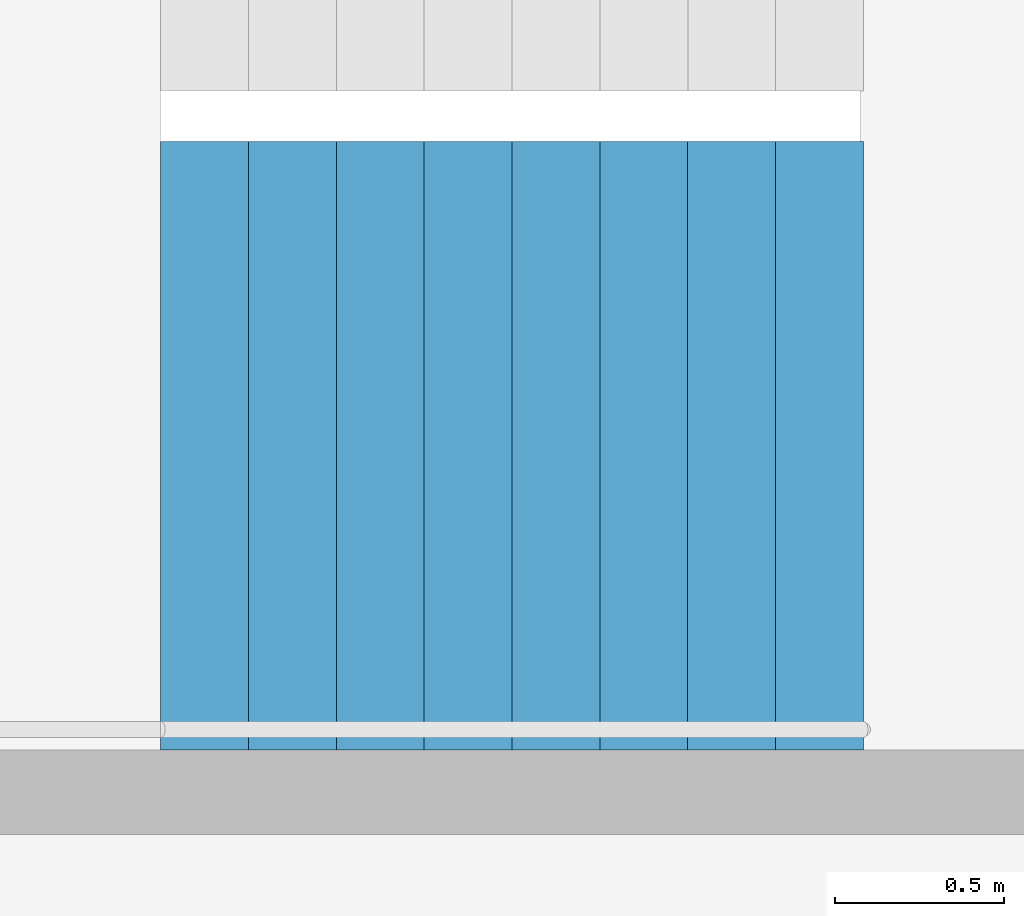
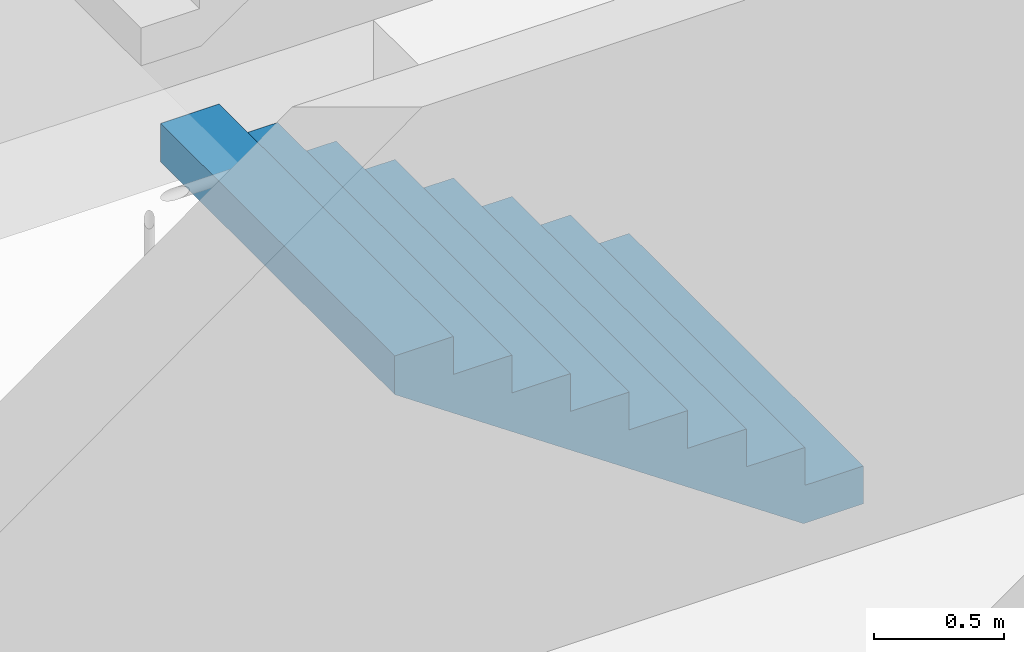
# One storey, part 25 of 27: 1 stair flight, 1 element without a shape of its own.
"""IFC4 building model written with IfcOpenShell, lengths in metres."""

from ifc_helpers import new_model, si_unit, direction, frame, origin, place, context, subcontext, project, spatial, triangles, material, type_object, element, aggregate, save


model = new_model("IFC4")

# Units and contexts
model_context = context("Model", 3, precision=1e-05, world=origin(), true_north=direction((0.0, 1.0)))
body_context = subcontext(model_context, "Body", "Model", "MODEL_VIEW")
ifc_project = project(units=[si_unit("LENGTHUNIT", "METRE"), si_unit("AREAUNIT", "SQUARE_METRE"), si_unit("VOLUMEUNIT", "CUBIC_METRE"), si_unit("PLANEANGLEUNIT", "RADIAN"), si_unit("MASSUNIT", "GRAM", prefix="KILO")], contexts=[model_context])

# Site, building, storey
site_placement = place(None, origin())
site = spatial("IfcSite", under=ifc_project, at=site_placement, CompositionType="ELEMENT")
building_placement = place(site_placement, origin())
building = spatial("IfcBuilding", under=site, at=building_placement, Name="Hakoniwa Tower and Hamabe Station Hall", CompositionType="ELEMENT")
storey_placement = place(building_placement, frame((0.0, 0.0, 242.199951171875)))
storey = spatial("IfcBuildingStorey", under=building, at=storey_placement, Name="L68", CompositionType="ELEMENT", Elevation=242.199951171875)

# Stair, stair flight
ifc_material_1 = material(Name="Concrete C40", Category="concrete")
stair_type = type_object("IfcStairType", Name="ESCAPE STAIR 1800", PredefinedType="HALF_TURN_STAIR", material=ifc_material_1)
stair_placement = place(storey_placement, origin())
stair = element("IfcStair", 1, at=stair_placement, inside=storey, type_object=stair_type, Name="Escape stair ST-3 L68", PredefinedType="HALF_TURN_STAIR")
ifc_material_2 = material(Name="Concrete C40", Category="concrete")
stair_flight_type = type_object("IfcStairFlightType", Name="STAIR FLIGHT 1800", PredefinedType="STRAIGHT", material=ifc_material_2)
stair_flight_placement = place(storey_placement, frame((24.39990234375, 4.64990234375, 0.0), z_axis=(0.0, 0.0, 1.0), x_axis=(-1.0, 0.0, 0.0)))
stair_flight = element("IfcStairFlight", 2, at=stair_flight_placement, type_object=stair_flight_type, Name="ST-3 flight 1", NumberOfRisers=9, NumberOfTreads=8, PredefinedType="STRAIGHT", RiserHeight=0.177777778, TreadLength=0.26, context=body_context, shape_type="Tessellation", body=[
    triangles([(0.0, 0.89990234375, 0.0), (0.260009765625, 0.89990234375, 0.0), (0.265625, 0.89990234375, 0.0), (0.52001953125, 0.89990234375, 0.174072265625), (0.780029296875, 0.89990234375, 0.351806640625), (1.0400390625, 0.89990234375, 0.529541015625), (1.300048828125, 0.89990234375, 0.707275390625), (1.56005859375, 0.89990234375, 0.885009765625), (1.820068359375, 0.89990234375, 1.062744140625), (2.080078125, 0.89990234375, 1.24072265625), (2.080078125, 0.89990234375, 1.422119140625), (1.820068359375, 0.89990234375, 1.422119140625), (1.820068359375, 0.89990234375, 1.244384765625), (1.56005859375, 0.89990234375, 1.244384765625), (1.56005859375, 0.89990234375, 1.066650390625), (1.300048828125, 0.89990234375, 1.066650390625), (1.300048828125, 0.89990234375, 0.888916015625), (1.0400390625, 0.89990234375, 0.888916015625), (1.0400390625, 0.89990234375, 0.711181640625), (0.780029296875, 0.89990234375, 0.711181640625), (0.780029296875, 0.89990234375, 0.533447265625), (0.52001953125, 0.89990234375, 0.533447265625), (0.52001953125, 0.89990234375, 0.35546875), (0.265625, 0.89990234375, 0.35546875), (0.260009765625, 0.89990234375, 0.35546875), (0.260009765625, 0.89990234375, 0.177734375), (0.0, 0.89990234375, 0.177734375), (0.0, 0.06005859375, 0.0), (0.260009765625, 0.06005859375, 0.0), (0.265625, 0.06005859375, 0.0), (0.52001953125, 0.06005859375, 0.174072265625), (0.780029296875, 0.06005859375, 0.351806640625), (1.0400390625, 0.06005859375, 0.529541015625), (1.300048828125, 0.06005859375, 0.707275390625), (1.56005859375, 0.06005859375, 0.885009765625), (1.820068359375, 0.06005859375, 1.062744140625), (2.080078125, 0.06005859375, 1.24072265625), (2.080078125, 0.06005859375, 1.422119140625), (1.820068359375, 0.06005859375, 1.422119140625), (1.820068359375, 0.06005859375, 1.244384765625), (1.56005859375, 0.06005859375, 1.244384765625), (1.56005859375, 0.06005859375, 1.066650390625), (1.300048828125, 0.06005859375, 1.066650390625), (1.300048828125, 0.06005859375, 0.888916015625), (1.0400390625, 0.06005859375, 0.888916015625), (1.0400390625, 0.06005859375, 0.711181640625), (0.780029296875, 0.06005859375, 0.711181640625), (0.780029296875, 0.06005859375, 0.533447265625), (0.52001953125, 0.06005859375, 0.533447265625), (0.52001953125, 0.06005859375, 0.35546875), (0.265625, 0.06005859375, 0.35546875), (0.260009765625, 0.06005859375, 0.35546875), (0.260009765625, 0.06005859375, 0.177734375), (0.0, 0.06005859375, 0.177734375), (0.0, 0.04296875, 0.0), (0.260009765625, 0.04296875, 0.0), (0.265625, 0.04296875, 0.0), (0.52001953125, 0.04296875, 0.174072265625), (0.780029296875, 0.04296875, 0.351806640625), (1.0400390625, 0.04296875, 0.529541015625), (1.300048828125, 0.04296875, 0.707275390625), (1.56005859375, 0.04296875, 0.885009765625), (1.820068359375, 0.04296875, 1.062744140625), (2.080078125, 0.04296875, 1.24072265625), (2.080078125, 0.04296875, 1.422119140625), (1.820068359375, 0.04296875, 1.422119140625), (1.820068359375, 0.04296875, 1.244384765625), (1.56005859375, 0.04296875, 1.244384765625), (1.56005859375, 0.04296875, 1.066650390625), (1.300048828125, 0.04296875, 1.066650390625), (1.300048828125, 0.04296875, 0.888916015625), (1.0400390625, 0.04296875, 0.888916015625), (1.0400390625, 0.04296875, 0.711181640625), (0.780029296875, 0.04296875, 0.711181640625), (0.780029296875, 0.04296875, 0.533447265625), (0.52001953125, 0.04296875, 0.533447265625), (0.52001953125, 0.04296875, 0.35546875), (0.265625, 0.04296875, 0.35546875), (0.260009765625, 0.04296875, 0.35546875), (0.260009765625, 0.04296875, 0.177734375), (0.0, 0.04296875, 0.177734375), (0.0, 0.025634765625, 0.0), (0.260009765625, 0.025634765625, 0.0), (0.265625, 0.025634765625, 0.0), (0.52001953125, 0.025634765625, 0.174072265625), (0.780029296875, 0.025634765625, 0.351806640625), (1.0400390625, 0.025634765625, 0.529541015625), (1.300048828125, 0.025634765625, 0.707275390625), (1.56005859375, 0.025634765625, 0.885009765625), (1.820068359375, 0.025634765625, 1.062744140625), (2.080078125, 0.025634765625, 1.24072265625), (2.080078125, 0.025634765625, 1.422119140625), (1.820068359375, 0.025634765625, 1.422119140625), (1.820068359375, 0.025634765625, 1.244384765625), (1.56005859375, 0.025634765625, 1.244384765625), (1.56005859375, 0.025634765625, 1.066650390625), (1.300048828125, 0.025634765625, 1.066650390625), (1.300048828125, 0.025634765625, 0.888916015625), (1.0400390625, 0.025634765625, 0.888916015625), (1.0400390625, 0.025634765625, 0.711181640625), (0.780029296875, 0.025634765625, 0.711181640625), (0.780029296875, 0.025634765625, 0.533447265625), (0.52001953125, 0.025634765625, 0.533447265625), (0.52001953125, 0.025634765625, 0.35546875), (0.265625, 0.025634765625, 0.35546875), (0.260009765625, 0.025634765625, 0.35546875), (0.260009765625, 0.025634765625, 0.177734375), (0.0, 0.025634765625, 0.177734375), (0.0, 0.008544921875, 0.0), (0.260009765625, 0.008544921875, 0.0), (0.265625, 0.008544921875, 0.0), (0.52001953125, 0.008544921875, 0.174072265625), (0.780029296875, 0.008544921875, 0.351806640625), (1.0400390625, 0.008544921875, 0.529541015625), (1.300048828125, 0.008544921875, 0.707275390625), (1.56005859375, 0.008544921875, 0.885009765625), (1.820068359375, 0.008544921875, 1.062744140625), (2.080078125, 0.008544921875, 1.24072265625), (2.080078125, 0.008544921875, 1.422119140625), (1.820068359375, 0.008544921875, 1.422119140625), (1.820068359375, 0.008544921875, 1.244384765625), (1.56005859375, 0.008544921875, 1.244384765625), (1.56005859375, 0.008544921875, 1.066650390625), (1.300048828125, 0.008544921875, 1.066650390625), (1.300048828125, 0.008544921875, 0.888916015625), (1.0400390625, 0.008544921875, 0.888916015625), (1.0400390625, 0.008544921875, 0.711181640625), (0.780029296875, 0.008544921875, 0.711181640625), (0.780029296875, 0.008544921875, 0.533447265625), (0.52001953125, 0.008544921875, 0.533447265625), (0.52001953125, 0.008544921875, 0.35546875), (0.265625, 0.008544921875, 0.35546875), (0.260009765625, 0.008544921875, 0.35546875), (0.260009765625, 0.008544921875, 0.177734375), (0.0, 0.008544921875, 0.177734375), (0.0, -0.008544921875, 0.0), (0.260009765625, -0.008544921875, 0.0), (0.265625, -0.008544921875, 0.0), (0.52001953125, -0.008544921875, 0.174072265625), (0.780029296875, -0.008544921875, 0.351806640625), (1.0400390625, -0.008544921875, 0.529541015625), (1.300048828125, -0.008544921875, 0.707275390625), (1.56005859375, -0.008544921875, 0.885009765625), (1.820068359375, -0.008544921875, 1.062744140625), (2.080078125, -0.008544921875, 1.24072265625), (2.080078125, -0.008544921875, 1.422119140625), (1.820068359375, -0.008544921875, 1.422119140625), (1.820068359375, -0.008544921875, 1.244384765625), (1.56005859375, -0.008544921875, 1.244384765625), (1.56005859375, -0.008544921875, 1.066650390625), (1.300048828125, -0.008544921875, 1.066650390625), (1.300048828125, -0.008544921875, 0.888916015625), (1.0400390625, -0.008544921875, 0.888916015625), (1.0400390625, -0.008544921875, 0.711181640625), (0.780029296875, -0.008544921875, 0.711181640625), (0.780029296875, -0.008544921875, 0.533447265625), (0.52001953125, -0.008544921875, 0.533447265625), (0.52001953125, -0.008544921875, 0.35546875), (0.265625, -0.008544921875, 0.35546875), (0.260009765625, -0.008544921875, 0.35546875), (0.260009765625, -0.008544921875, 0.177734375), (0.0, -0.008544921875, 0.177734375), (0.0, -0.025634765625, 0.0), (0.260009765625, -0.025634765625, 0.0), (0.265625, -0.025634765625, 0.0), (0.52001953125, -0.025634765625, 0.174072265625), (0.780029296875, -0.025634765625, 0.351806640625), (1.0400390625, -0.025634765625, 0.529541015625), (1.300048828125, -0.025634765625, 0.707275390625), (1.56005859375, -0.025634765625, 0.885009765625), (1.820068359375, -0.025634765625, 1.062744140625), (2.080078125, -0.025634765625, 1.24072265625), (2.080078125, -0.025634765625, 1.422119140625), (1.820068359375, -0.025634765625, 1.422119140625), (1.820068359375, -0.025634765625, 1.244384765625), (1.56005859375, -0.025634765625, 1.244384765625), (1.56005859375, -0.025634765625, 1.066650390625), (1.300048828125, -0.025634765625, 1.066650390625), (1.300048828125, -0.025634765625, 0.888916015625), (1.0400390625, -0.025634765625, 0.888916015625), (1.0400390625, -0.025634765625, 0.711181640625), (0.780029296875, -0.025634765625, 0.711181640625), (0.780029296875, -0.025634765625, 0.533447265625), (0.52001953125, -0.025634765625, 0.533447265625), (0.52001953125, -0.025634765625, 0.35546875), (0.265625, -0.025634765625, 0.35546875), (0.260009765625, -0.025634765625, 0.35546875), (0.260009765625, -0.025634765625, 0.177734375), (0.0, -0.025634765625, 0.177734375), (0.0, -0.04296875, 0.0), (0.260009765625, -0.04296875, 0.0), (0.265625, -0.04296875, 0.0), (0.52001953125, -0.04296875, 0.174072265625), (0.780029296875, -0.04296875, 0.351806640625), (1.0400390625, -0.04296875, 0.529541015625), (1.300048828125, -0.04296875, 0.707275390625), (1.56005859375, -0.04296875, 0.885009765625), (1.820068359375, -0.04296875, 1.062744140625), (2.080078125, -0.04296875, 1.24072265625), (2.080078125, -0.04296875, 1.422119140625), (1.820068359375, -0.04296875, 1.422119140625), (1.820068359375, -0.04296875, 1.244384765625), (1.56005859375, -0.04296875, 1.244384765625), (1.56005859375, -0.04296875, 1.066650390625), (1.300048828125, -0.04296875, 1.066650390625), (1.300048828125, -0.04296875, 0.888916015625), (1.0400390625, -0.04296875, 0.888916015625), (1.0400390625, -0.04296875, 0.711181640625), (0.780029296875, -0.04296875, 0.711181640625), (0.780029296875, -0.04296875, 0.533447265625), (0.52001953125, -0.04296875, 0.533447265625), (0.52001953125, -0.04296875, 0.35546875), (0.265625, -0.04296875, 0.35546875), (0.260009765625, -0.04296875, 0.35546875), (0.260009765625, -0.04296875, 0.177734375), (0.0, -0.04296875, 0.177734375), (0.0, -0.06005859375, 0.0), (0.260009765625, -0.06005859375, 0.0), (0.265625, -0.06005859375, 0.0), (0.52001953125, -0.06005859375, 0.174072265625), (0.780029296875, -0.06005859375, 0.351806640625), (1.0400390625, -0.06005859375, 0.529541015625), (1.300048828125, -0.06005859375, 0.707275390625), (1.56005859375, -0.06005859375, 0.885009765625), (1.820068359375, -0.06005859375, 1.062744140625), (2.080078125, -0.06005859375, 1.24072265625), (2.080078125, -0.06005859375, 1.422119140625), (1.820068359375, -0.06005859375, 1.422119140625), (1.820068359375, -0.06005859375, 1.244384765625), (1.56005859375, -0.06005859375, 1.244384765625), (1.56005859375, -0.06005859375, 1.066650390625), (1.300048828125, -0.06005859375, 1.066650390625), (1.300048828125, -0.06005859375, 0.888916015625), (1.0400390625, -0.06005859375, 0.888916015625), (1.0400390625, -0.06005859375, 0.711181640625), (0.780029296875, -0.06005859375, 0.711181640625), (0.780029296875, -0.06005859375, 0.533447265625), (0.52001953125, -0.06005859375, 0.533447265625), (0.52001953125, -0.06005859375, 0.35546875), (0.265625, -0.06005859375, 0.35546875), (0.260009765625, -0.06005859375, 0.35546875), (0.260009765625, -0.06005859375, 0.177734375), (0.0, -0.06005859375, 0.177734375), (0.0, -0.89990234375, 0.0), (0.260009765625, -0.89990234375, 0.0), (0.265625, -0.89990234375, 0.0), (0.52001953125, -0.89990234375, 0.174072265625), (0.780029296875, -0.89990234375, 0.351806640625), (1.0400390625, -0.89990234375, 0.529541015625), (1.300048828125, -0.89990234375, 0.707275390625), (1.56005859375, -0.89990234375, 0.885009765625), (1.820068359375, -0.89990234375, 1.062744140625), (2.080078125, -0.89990234375, 1.24072265625), (2.080078125, -0.89990234375, 1.422119140625), (1.820068359375, -0.89990234375, 1.422119140625), (1.820068359375, -0.89990234375, 1.244384765625), (1.56005859375, -0.89990234375, 1.244384765625), (1.56005859375, -0.89990234375, 1.066650390625), (1.300048828125, -0.89990234375, 1.066650390625), (1.300048828125, -0.89990234375, 0.888916015625), (1.0400390625, -0.89990234375, 0.888916015625), (1.0400390625, -0.89990234375, 0.711181640625), (0.780029296875, -0.89990234375, 0.711181640625), (0.780029296875, -0.89990234375, 0.533447265625), (0.52001953125, -0.89990234375, 0.533447265625), (0.52001953125, -0.89990234375, 0.35546875), (0.265625, -0.89990234375, 0.35546875), (0.260009765625, -0.89990234375, 0.35546875), (0.260009765625, -0.89990234375, 0.177734375), (0.0, -0.89990234375, 0.177734375)], [[2, 27, 26], [245, 269, 270], [2, 1, 27], [245, 270, 244], [3, 25, 24], [246, 267, 268], [3, 26, 25], [246, 268, 269], [3, 2, 26], [246, 269, 245], [4, 24, 23], [247, 266, 267], [4, 3, 24], [247, 267, 246], [5, 22, 21], [248, 264, 265], [5, 23, 22], [248, 265, 266], [5, 4, 23], [248, 266, 247], [6, 20, 19], [249, 262, 263], [6, 21, 20], [249, 263, 264], [6, 5, 21], [249, 264, 248], [7, 18, 17], [250, 260, 261], [7, 19, 18], [250, 261, 262], [7, 6, 19], [250, 262, 249], [8, 16, 15], [251, 258, 259], [8, 17, 16], [251, 259, 260], [8, 7, 17], [251, 260, 250], [9, 14, 13], [252, 256, 257], [9, 15, 14], [252, 257, 258], [9, 8, 15], [252, 258, 251], [10, 12, 11], [253, 254, 255], [10, 13, 12], [253, 255, 256], [10, 9, 13], [253, 256, 252], [1, 2, 29], [1, 29, 28], [28, 29, 56], [28, 56, 55], [55, 56, 83], [55, 83, 82], [82, 83, 110], [82, 110, 109], [109, 110, 137], [109, 137, 136], [136, 137, 164], [136, 164, 163], [163, 164, 191], [163, 191, 190], [190, 191, 218], [190, 218, 217], [217, 218, 245], [217, 245, 244], [2, 3, 30], [2, 30, 29], [29, 30, 57], [29, 57, 56], [56, 57, 84], [56, 84, 83], [83, 84, 111], [83, 111, 110], [110, 111, 138], [110, 138, 137], [137, 138, 165], [137, 165, 164], [164, 165, 192], [164, 192, 191], [191, 192, 219], [191, 219, 218], [218, 219, 246], [218, 246, 245], [3, 4, 31], [3, 31, 30], [30, 31, 58], [30, 58, 57], [57, 58, 85], [57, 85, 84], [84, 85, 112], [84, 112, 111], [111, 112, 139], [111, 139, 138], [138, 139, 166], [138, 166, 165], [165, 166, 193], [165, 193, 192], [192, 193, 220], [192, 220, 219], [219, 220, 247], [219, 247, 246], [4, 5, 32], [4, 32, 31], [31, 32, 59], [31, 59, 58], [58, 59, 86], [58, 86, 85], [85, 86, 113], [85, 113, 112], [112, 113, 140], [112, 140, 139], [139, 140, 167], [139, 167, 166], [166, 167, 194], [166, 194, 193], [193, 194, 221], [193, 221, 220], [220, 221, 248], [220, 248, 247], [5, 6, 33], [5, 33, 32], [32, 33, 60], [32, 60, 59], [59, 60, 87], [59, 87, 86], [86, 87, 114], [86, 114, 113], [113, 114, 141], [113, 141, 140], [140, 141, 168], [140, 168, 167], [167, 168, 195], [167, 195, 194], [194, 195, 222], [194, 222, 221], [221, 222, 249], [221, 249, 248], [6, 7, 34], [6, 34, 33], [33, 34, 61], [33, 61, 60], [60, 61, 88], [60, 88, 87], [87, 88, 115], [87, 115, 114], [114, 115, 142], [114, 142, 141], [141, 142, 169], [141, 169, 168], [168, 169, 196], [168, 196, 195], [195, 196, 223], [195, 223, 222], [222, 223, 250], [222, 250, 249], [7, 8, 35], [7, 35, 34], [34, 35, 62], [34, 62, 61], [61, 62, 89], [61, 89, 88], [88, 89, 116], [88, 116, 115], [115, 116, 143], [115, 143, 142], [142, 143, 170], [142, 170, 169], [169, 170, 197], [169, 197, 196], [196, 197, 224], [196, 224, 223], [223, 224, 251], [223, 251, 250], [8, 9, 36], [8, 36, 35], [35, 36, 63], [35, 63, 62], [62, 63, 90], [62, 90, 89], [89, 90, 117], [89, 117, 116], [116, 117, 144], [116, 144, 143], [143, 144, 171], [143, 171, 170], [170, 171, 198], [170, 198, 197], [197, 198, 225], [197, 225, 224], [224, 225, 252], [224, 252, 251], [9, 10, 37], [9, 37, 36], [36, 37, 64], [36, 64, 63], [63, 64, 91], [63, 91, 90], [90, 91, 118], [90, 118, 117], [117, 118, 145], [117, 145, 144], [144, 145, 172], [144, 172, 171], [171, 172, 199], [171, 199, 198], [198, 199, 226], [198, 226, 225], [225, 226, 253], [225, 253, 252], [10, 11, 38], [10, 38, 37], [37, 38, 65], [37, 65, 64], [64, 65, 92], [64, 92, 91], [91, 92, 119], [91, 119, 118], [118, 119, 146], [118, 146, 145], [145, 146, 173], [145, 173, 172], [172, 173, 200], [172, 200, 199], [199, 200, 227], [199, 227, 226], [226, 227, 254], [226, 254, 253], [11, 12, 39], [11, 39, 38], [38, 39, 66], [38, 66, 65], [65, 66, 93], [65, 93, 92], [92, 93, 120], [92, 120, 119], [119, 120, 147], [119, 147, 146], [146, 147, 174], [146, 174, 173], [173, 174, 201], [173, 201, 200], [200, 201, 228], [200, 228, 227], [227, 228, 255], [227, 255, 254], [12, 13, 40], [12, 40, 39], [39, 40, 67], [39, 67, 66], [66, 67, 94], [66, 94, 93], [93, 94, 121], [93, 121, 120], [120, 121, 148], [120, 148, 147], [147, 148, 175], [147, 175, 174], [174, 175, 202], [174, 202, 201], [201, 202, 229], [201, 229, 228], [228, 229, 256], [228, 256, 255], [13, 14, 41], [13, 41, 40], [40, 41, 68], [40, 68, 67], [67, 68, 95], [67, 95, 94], [94, 95, 122], [94, 122, 121], [121, 122, 149], [121, 149, 148], [148, 149, 176], [148, 176, 175], [175, 176, 203], [175, 203, 202], [202, 203, 230], [202, 230, 229], [229, 230, 257], [229, 257, 256], [14, 15, 42], [14, 42, 41], [41, 42, 69], [41, 69, 68], [68, 69, 96], [68, 96, 95], [95, 96, 123], [95, 123, 122], [122, 123, 150], [122, 150, 149], [149, 150, 177], [149, 177, 176], [176, 177, 204], [176, 204, 203], [203, 204, 231], [203, 231, 230], [230, 231, 258], [230, 258, 257], [15, 16, 43], [15, 43, 42], [42, 43, 70], [42, 70, 69], [69, 70, 97], [69, 97, 96], [96, 97, 124], [96, 124, 123], [123, 124, 151], [123, 151, 150], [150, 151, 178], [150, 178, 177], [177, 178, 205], [177, 205, 204], [204, 205, 232], [204, 232, 231], [231, 232, 259], [231, 259, 258], [16, 17, 44], [16, 44, 43], [43, 44, 71], [43, 71, 70], [70, 71, 98], [70, 98, 97], [97, 98, 125], [97, 125, 124], [124, 125, 152], [124, 152, 151], [151, 152, 179], [151, 179, 178], [178, 179, 206], [178, 206, 205], [205, 206, 233], [205, 233, 232], [232, 233, 260], [232, 260, 259], [17, 18, 45], [17, 45, 44], [44, 45, 72], [44, 72, 71], [71, 72, 99], [71, 99, 98], [98, 99, 126], [98, 126, 125], [125, 126, 153], [125, 153, 152], [152, 153, 180], [152, 180, 179], [179, 180, 207], [179, 207, 206], [206, 207, 234], [206, 234, 233], [233, 234, 261], [233, 261, 260], [18, 19, 46], [18, 46, 45], [45, 46, 73], [45, 73, 72], [72, 73, 100], [72, 100, 99], [99, 100, 127], [99, 127, 126], [126, 127, 154], [126, 154, 153], [153, 154, 181], [153, 181, 180], [180, 181, 208], [180, 208, 207], [207, 208, 235], [207, 235, 234], [234, 235, 262], [234, 262, 261], [19, 20, 47], [19, 47, 46], [46, 47, 74], [46, 74, 73], [73, 74, 101], [73, 101, 100], [100, 101, 128], [100, 128, 127], [127, 128, 155], [127, 155, 154], [154, 155, 182], [154, 182, 181], [181, 182, 209], [181, 209, 208], [208, 209, 236], [208, 236, 235], [235, 236, 263], [235, 263, 262], [20, 21, 48], [20, 48, 47], [47, 48, 75], [47, 75, 74], [74, 75, 102], [74, 102, 101], [101, 102, 129], [101, 129, 128], [128, 129, 156], [128, 156, 155], [155, 156, 183], [155, 183, 182], [182, 183, 210], [182, 210, 209], [209, 210, 237], [209, 237, 236], [236, 237, 264], [236, 264, 263], [21, 22, 49], [21, 49, 48], [48, 49, 76], [48, 76, 75], [75, 76, 103], [75, 103, 102], [102, 103, 130], [102, 130, 129], [129, 130, 157], [129, 157, 156], [156, 157, 184], [156, 184, 183], [183, 184, 211], [183, 211, 210], [210, 211, 238], [210, 238, 237], [237, 238, 265], [237, 265, 264], [22, 23, 50], [22, 50, 49], [49, 50, 77], [49, 77, 76], [76, 77, 104], [76, 104, 103], [103, 104, 131], [103, 131, 130], [130, 131, 158], [130, 158, 157], [157, 158, 185], [157, 185, 184], [184, 185, 212], [184, 212, 211], [211, 212, 239], [211, 239, 238], [238, 239, 266], [238, 266, 265], [23, 24, 51], [23, 51, 50], [50, 51, 78], [50, 78, 77], [77, 78, 105], [77, 105, 104], [104, 105, 132], [104, 132, 131], [131, 132, 159], [131, 159, 158], [158, 159, 186], [158, 186, 185], [185, 186, 213], [185, 213, 212], [212, 213, 240], [212, 240, 239], [239, 240, 267], [239, 267, 266], [24, 25, 52], [24, 52, 51], [51, 52, 79], [51, 79, 78], [78, 79, 106], [78, 106, 105], [105, 106, 133], [105, 133, 132], [132, 133, 160], [132, 160, 159], [159, 160, 187], [159, 187, 186], [186, 187, 214], [186, 214, 213], [213, 214, 241], [213, 241, 240], [240, 241, 268], [240, 268, 267], [25, 26, 53], [25, 53, 52], [52, 53, 80], [52, 80, 79], [79, 80, 107], [79, 107, 106], [106, 107, 134], [106, 134, 133], [133, 134, 161], [133, 161, 160], [160, 161, 188], [160, 188, 187], [187, 188, 215], [187, 215, 214], [214, 215, 242], [214, 242, 241], [241, 242, 269], [241, 269, 268], [26, 27, 54], [26, 54, 53], [53, 54, 81], [53, 81, 80], [80, 81, 108], [80, 108, 107], [107, 108, 135], [107, 135, 134], [134, 135, 162], [134, 162, 161], [161, 162, 189], [161, 189, 188], [188, 189, 216], [188, 216, 215], [215, 216, 243], [215, 243, 242], [242, 243, 270], [242, 270, 269], [27, 1, 28], [27, 28, 54], [54, 28, 55], [54, 55, 81], [81, 55, 82], [81, 82, 108], [108, 82, 109], [108, 109, 135], [135, 109, 136], [135, 136, 162], [162, 136, 163], [162, 163, 189], [189, 163, 190], [189, 190, 216], [216, 190, 217], [216, 217, 243], [243, 217, 244], [243, 244, 270]], closed=True),
])
aggregate(stair, [stair_flight])

save(model, "model.ifc")
